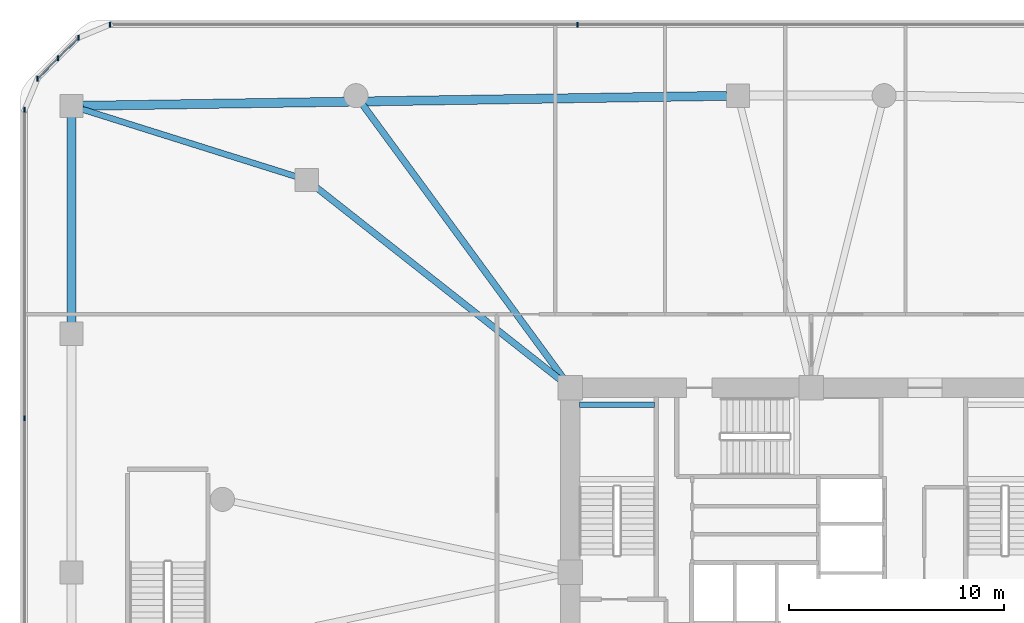
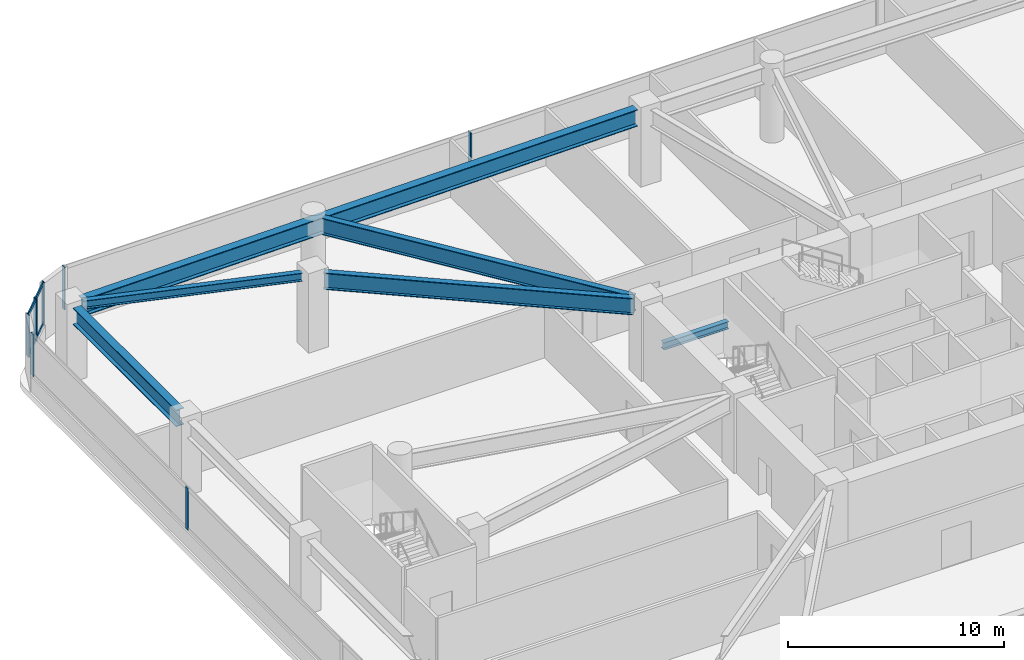
# One storey, part 6 of 21: 9 members, 6 beams, 3 elements without a shape of their own.
"""IFC4 building model written with IfcOpenShell, lengths in metres."""

from ifc_helpers import new_model, si_unit, derived_unit, direction, frame, origin, origin_2d, place, context, subcontext, project, spatial, rectangle, i_section, extrude, material, material_profile, profile_set, type_object, element, aggregate, save


model = new_model("IFC4")

# Units and contexts
model_context = context("Model", 3, precision=1e-05, world=origin(), true_north=direction((0.0, 1.0)))
body_context = subcontext(model_context, "Body", "Model", "MODEL_VIEW")
ifc_project = project(units=[si_unit("LENGTHUNIT", "METRE"), si_unit("AREAUNIT", "SQUARE_METRE"), si_unit("VOLUMEUNIT", "CUBIC_METRE"), si_unit("PLANEANGLEUNIT", "RADIAN"), si_unit("MASSUNIT", "GRAM", prefix="KILO"), derived_unit("THERMALTRANSMITTANCEUNIT", [(si_unit("POWERUNIT", "WATT"), 1), (si_unit("LENGTHUNIT", "METRE"), -2), (si_unit("THERMODYNAMICTEMPERATUREUNIT", "KELVIN"), -1)])], contexts=[model_context])

# Site, building, storey
site_placement = place(None, origin())
site = spatial("IfcSite", under=ifc_project, at=site_placement, CompositionType="ELEMENT")
building_placement = place(site_placement, origin())
building = spatial("IfcBuilding", under=site, at=building_placement, Name="Koralith Skygarden Medical Center", CompositionType="ELEMENT")
storey_placement = place(building_placement, frame((0.0, 0.0, 14.39990234375)))
storey = spatial("IfcBuildingStorey", under=building, at=storey_placement, Name="L03", CompositionType="ELEMENT", Elevation=14.39990234375)

# Curtain wall, members
ifc_material_1 = material(Name="Clear Laminated Glass", Category="glass")
curtain_wall_type = type_object("IfcCurtainWallType", Name="CW-1 Transit & Podium Acoustic Curtain Wall", PredefinedType="NOTDEFINED", material=ifc_material_1)
curtain_wall_1_placement = place(storey_placement, origin())
curtain_wall_1 = element("IfcCurtainWall", 1, at=curtain_wall_1_placement, inside=storey, type_object=curtain_wall_type, Name="Curtain Wall CW-L03-N", PredefinedType="NOTDEFINED")
ifc_material_2 = material(Name="Aluminium 6063-T6", Category="aluminium")
ifc_material_profile_1 = material_profile(ifc_material_2, rectangle(XDim=0.068115234375, YDim=0.239990234375, at=origin_2d()), Name="MUL68X240")
ifc_profile_set_1 = profile_set([ifc_material_profile_1], Name="Aluminium 6063-T6")
member_type_1 = type_object("IfcMemberType", Name="CW-1 Extruded Mullion 68x240", PredefinedType="MULLION", material=ifc_profile_set_1)
member_1_placement = place(storey_placement, frame((26.1259765625, 51.3798828125, 0.85009765625), z_axis=(0.0, 0.0, 1.0), x_axis=(1.0, 0.0, 0.0)))
member_1 = element("IfcMember", 2, at=member_1_placement, type_object=member_type_1, Name="CW-L03-N Mullion 3", PredefinedType="MULLION", context=body_context, shape_type="SweptSolid", body=[
    extrude(rectangle(XDim=0.068115234375, YDim=0.239990234375, at=origin_2d()), origin(), (0.0, 0.0, 1.0), 2.389892578125),
])
member_2_placement = place(storey_placement, frame((4.37890625, 51.3798828125, 0.85009765625), z_axis=(0.0, 0.0, 1.0), x_axis=(1.0, 0.0, 0.0)))
member_2 = element("IfcMember", 3, at=member_2_placement, type_object=member_type_1, Name="CW-L03-N Mullion 4", PredefinedType="MULLION", context=body_context, shape_type="SweptSolid", body=[
    extrude(rectangle(XDim=0.068115234375, YDim=0.239990234375, at=origin_2d()), origin(), (0.0, 0.0, 1.0), 2.389892578125),
])
aggregate(curtain_wall_1, [member_1, member_2])

curtain_wall_2_placement = place(storey_placement, origin())
curtain_wall_2 = element("IfcCurtainWall", 4, at=curtain_wall_2_placement, inside=storey, type_object=curtain_wall_type, Name="Curtain Wall CW-L03-NW", PredefinedType="NOTDEFINED")
member_3_placement = place(storey_placement, frame((2.927978515625, 50.779052734375, 0.85009765625), z_axis=(0.0, 0.0, 1.0), x_axis=(1.0, 0.0, 0.0)))
member_3 = element("IfcMember", 5, at=member_3_placement, type_object=member_type_1, Name="CW-L03-NW Mullion 1", PredefinedType="MULLION", context=body_context, shape_type="SweptSolid", body=[
    extrude(rectangle(XDim=0.068115234375, YDim=0.239990234375, at=origin_2d()), origin(), (0.0, 0.0, 1.0), 2.389892578125),
])
member_4_placement = place(storey_placement, frame((1.97412109375, 49.825927734375, 0.85009765625), z_axis=(0.0, 0.0, 1.0), x_axis=(1.0, 0.0, 0.0)))
member_4 = element("IfcMember", 6, at=member_4_placement, type_object=member_type_1, Name="CW-L03-NW Mullion 2", PredefinedType="MULLION", context=body_context, shape_type="SweptSolid", body=[
    extrude(rectangle(XDim=0.068115234375, YDim=0.239990234375, at=origin_2d()), origin(), (0.0, 0.0, 1.0), 2.389892578125),
])
member_5_placement = place(storey_placement, frame((1.02099609375, 48.8720703125, 0.85009765625), z_axis=(0.0, 0.0, 1.0), x_axis=(1.0, 0.0, 0.0)))
member_5 = element("IfcMember", 7, at=member_5_placement, type_object=member_type_1, Name="CW-L03-NW Mullion 3", PredefinedType="MULLION", context=body_context, shape_type="SweptSolid", body=[
    extrude(rectangle(XDim=0.068115234375, YDim=0.239990234375, at=origin_2d()), origin(), (0.0, 0.0, 1.0), 2.389892578125),
])

curtain_wall_3_placement = place(storey_placement, origin())
curtain_wall_3 = element("IfcCurtainWall", 8, at=curtain_wall_3_placement, inside=storey, type_object=curtain_wall_type, Name="Curtain Wall CW-L03-W", PredefinedType="NOTDEFINED")
member_6_placement = place(storey_placement, frame((0.419921875, 47.4208984375, 0.85009765625), z_axis=(0.0, 0.0, 1.0), x_axis=(1.0, 0.0, 0.0)))
member_6 = element("IfcMember", 9, at=member_6_placement, type_object=member_type_1, Name="CW-L03-W Mullion 1", PredefinedType="MULLION", context=body_context, shape_type="SweptSolid", body=[
    extrude(rectangle(XDim=0.068115234375, YDim=0.239990234375, at=origin_2d()), origin(), (0.0, 0.0, 1.0), 2.389892578125),
])
member_7_placement = place(storey_placement, frame((0.419921875, 33.073974609375, 0.85009765625), z_axis=(0.0, 0.0, 1.0), x_axis=(1.0, 0.0, 0.0)))
member_7 = element("IfcMember", 10, at=member_7_placement, type_object=member_type_1, Name="CW-L03-W Mullion 2", PredefinedType="MULLION", context=body_context, shape_type="SweptSolid", body=[
    extrude(rectangle(XDim=0.068115234375, YDim=0.239990234375, at=origin_2d()), origin(), (0.0, 0.0, 1.0), 2.389892578125),
])
aggregate(curtain_wall_3, [member_6, member_7])

# Member
ifc_material_profile_2 = material_profile(ifc_material_2, rectangle(XDim=0.06298828125, YDim=0.216064453125, at=origin_2d()), Name="TRN63X216")
ifc_profile_set_2 = profile_set([ifc_material_profile_2], Name="Aluminium 6063-T6")
member_type_2 = type_object("IfcMemberType", Name="CW-1 Thermal Transom 63x216", PredefinedType="USERDEFINED", material=ifc_profile_set_2)
member_8_placement = place(storey_placement, frame((2.927978515625, 50.779052734375, 0.900146484375), z_axis=(-0.707106781187, -0.707106781187, 0.0), x_axis=(0.707106781187, -0.707106781187, 0.0)))
member_8 = element("IfcMember", 11, at=member_8_placement, type_object=member_type_2, Name="CW-L03-NW Transom 1", ObjectType="TRANSOM", PredefinedType="USERDEFINED", context=body_context, shape_type="SweptSolid", body=[
    extrude(rectangle(XDim=0.06298828125, YDim=0.216064453125, at=origin_2d()), origin(), (0.0, 0.0, 1.0), 2.69677734375),
])

member_9_placement = place(storey_placement, frame((2.927978515625, 50.779052734375, 3.190185546875), z_axis=(-0.707106781187, -0.707106781187, 0.0), x_axis=(0.707106781187, -0.707106781187, 0.0)))
member_9 = element("IfcMember", 12, at=member_9_placement, type_object=member_type_2, Name="CW-L03-NW Transom 2", ObjectType="TRANSOM", PredefinedType="USERDEFINED", context=body_context, shape_type="SweptSolid", body=[
    extrude(rectangle(XDim=0.06298828125, YDim=0.216064453125, at=origin_2d()), origin(), (0.0, 0.0, 1.0), 2.69677734375),
])

aggregate(curtain_wall_2, [member_3, member_4, member_5, member_8, member_9])

# Beams
ifc_material_3 = material(Name="Steel ASTM A992 Grade 50", Category="steel")
ifc_material_profile_3 = material_profile(ifc_material_3, i_section(OverallWidth=0.260009765625, OverallDepth=0.4150390625, WebThickness=0.010009765625, FlangeThickness=0.016845703125, at=origin_2d()), Name="W16X67")
ifc_profile_set_3 = profile_set([ifc_material_profile_3], Name="Steel ASTM A992 Grade 50")
beam_type_1 = type_object("IfcBeamType", Name="Clinical Floor Joist W16X67", PredefinedType="JOIST", material=ifc_profile_set_3)
beam_1_placement = place(storey_placement, frame((26.22998046875, 33.699951171875, 1.842041015625), z_axis=(1.0, 0.0, 0.0), x_axis=(0.0, 1.0, 0.0)))
element("IfcBeam", 13, at=beam_1_placement, inside=storey, type_object=beam_type_1, Name="L03 Stair ST1 Half-Landing Support Beam 1B", PredefinedType="JOIST", context=body_context, shape_type="SweptSolid", body=[
    extrude(i_section(OverallWidth=0.260009765625, OverallDepth=0.4150390625, WebThickness=0.010009765625, FlangeThickness=0.016845703125, at=origin_2d()), origin(), (0.0, 0.0, 1.0), 3.489990234375),
])
ifc_material_profile_4 = material_profile(ifc_material_3, i_section(OverallWidth=0.423095703125, OverallDepth=0.947998046875, WebThickness=0.02392578125, FlangeThickness=0.042724609375, at=origin_2d()), Name="W36X302")
ifc_profile_set_4 = profile_set([ifc_material_profile_4], Name="Steel ASTM A992 Grade 50")
beam_type_2 = type_object("IfcBeamType", Name="Podium Concourse Girder W36X302", PredefinedType="BEAM", material=ifc_profile_set_4)
beam_2_placement = place(storey_placement, frame((33.080078125, 48.072021484375, 3.72607421875), z_axis=(-0.999880035237, -0.015489194131, 0.0), x_axis=(0.015489194131, -0.999880035237, 0.0)))
element("IfcBeam", 14, at=beam_2_placement, inside=storey, type_object=beam_type_2, Name="L03 Podium Perimeter Beam PB-11", PredefinedType="BEAM", context=body_context, shape_type="SweptSolid", body=[
    extrude(i_section(OverallWidth=0.423095703125, OverallDepth=0.947998046875, WebThickness=0.02392578125, FlangeThickness=0.042724609375, at=origin_2d()), origin(), (0.0, 0.0, 1.0), 29.963623046875),
])
beam_3_placement = place(storey_placement, frame((2.60009765625, 47.080078125, 3.72607421875), z_axis=(0.0, -1.0, 0.0), x_axis=(1.0, 0.0, 0.0)))
element("IfcBeam", 15, at=beam_3_placement, inside=storey, type_object=beam_type_2, Name="L03 Podium Perimeter Beam PB-12", PredefinedType="BEAM", context=body_context, shape_type="SweptSolid", body=[
    extrude(i_section(OverallWidth=0.423095703125, OverallDepth=0.947998046875, WebThickness=0.02392578125, FlangeThickness=0.042724609375, at=origin_2d()), origin(), (0.0, 0.0, 1.0), 9.56005859375),
])
ifc_material_profile_5 = material_profile(ifc_material_3, i_section(OverallWidth=0.281982421875, OverallDepth=0.467041015625, WebThickness=0.01220703125, FlangeThickness=0.01953125, at=origin_2d()), Name="W18X86")
ifc_profile_set_5 = profile_set([ifc_material_profile_5], Name="Steel ASTM A992 Grade 50")
beam_type_3 = type_object("IfcBeamType", Name="Podium Floor Joist W18X86", PredefinedType="JOIST", material=ifc_profile_set_5)
beam_4_placement = place(storey_placement, frame((13.0439453125, 44.31591796875, 3.967041015625), z_axis=(-0.95394817002, 0.29997148017, 0.0), x_axis=(-0.29997148017, -0.95394817002, 0.0)))
element("IfcBeam", 16, at=beam_4_placement, inside=storey, type_object=beam_type_3, Name="L03 Podium Floor Joist PJ-02", PredefinedType="JOIST", context=body_context, shape_type="SweptSolid", body=[
    extrude(i_section(OverallWidth=0.281982421875, OverallDepth=0.467041015625, WebThickness=0.01220703125, FlangeThickness=0.01953125, at=origin_2d()), origin(), (0.0, 0.0, 1.0), 10.42822265625),
])
ifc_material_profile_6 = material_profile(ifc_material_3, i_section(OverallWidth=0.30810546875, OverallDepth=0.943115234375, WebThickness=0.022216796875, FlangeThickness=0.039794921875, at=origin_2d()), Name="W36X232")
ifc_profile_set_6 = profile_set([ifc_material_profile_6], Name="Steel ASTM A992 Grade 50")
beam_type_4 = type_object("IfcBeamType", Name="Surgical Platform Girder W36X232", PredefinedType="BEAM", material=ifc_profile_set_6)
beam_5_placement = place(storey_placement, frame((25.468994140625, 34.950927734375, 3.72900390625), z_axis=(-0.591712691958, 0.806148925556, 0.0), x_axis=(-0.806148925556, -0.591712691958, 0.0)))
element("IfcBeam", 17, at=beam_5_placement, inside=storey, type_object=beam_type_4, Name="L03 Podium Radial Girder PRG-14", PredefinedType="BEAM", context=body_context, shape_type="SweptSolid", body=[
    extrude(i_section(OverallWidth=0.30810546875, OverallDepth=0.943115234375, WebThickness=0.022216796875, FlangeThickness=0.039794921875, at=origin_2d()), origin(), (0.0, 0.0, 1.0), 15.766357421875),
])
beam_6_placement = place(storey_placement, frame((25.360107421875, 34.846923828125, 3.72900390625), z_axis=(-0.785504791859, 0.618855574401, 0.0), x_axis=(-0.618855574401, -0.785504791859, 0.0)))
element("IfcBeam", 18, at=beam_6_placement, inside=storey, type_object=beam_type_4, Name="L03 Podium Radial Girder PRG-15", PredefinedType="BEAM", context=body_context, shape_type="SweptSolid", body=[
    extrude(i_section(OverallWidth=0.30810546875, OverallDepth=0.943115234375, WebThickness=0.022216796875, FlangeThickness=0.039794921875, at=origin_2d()), origin(), (0.0, 0.0, 1.0), 14.5283203125),
])

save(model, "model.ifc")
